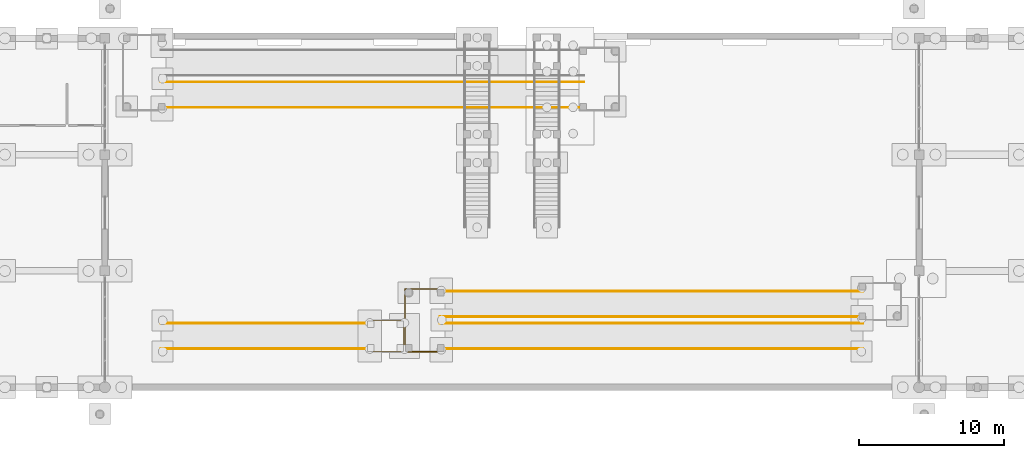
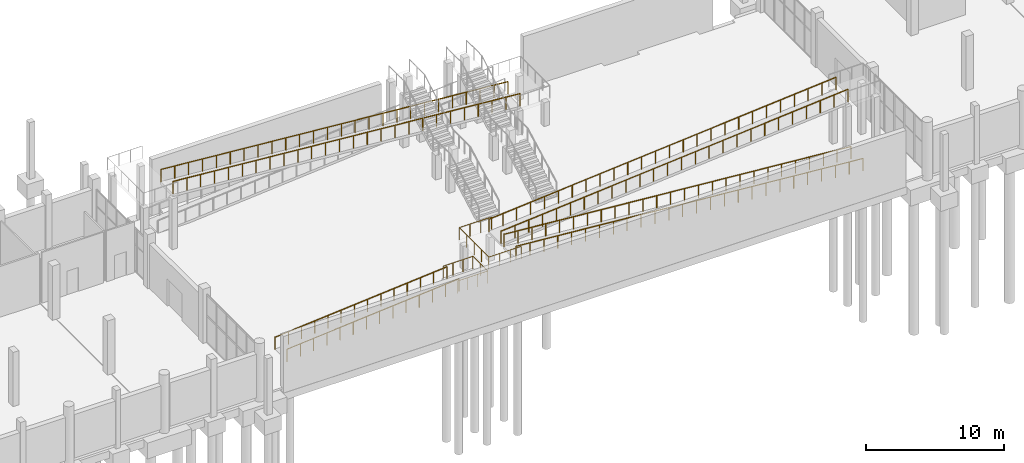
# One storey, part 41 of 52: 10 railings.
"""IFC4 building model written with IfcOpenShell, lengths in metres."""

import ifcopenshell
import ifcopenshell.guid

model = None  # the IFC model being written
_history = None  # IfcOwnerHistory: only IFC2X3 demands one
_inside = {}  # id of a spatial element -> (the spatial element, [elements in it])
_under = {}  # id of a project, library or spatial element -> (it, [spatial elements below it])
_declared = {}  # id of a project -> (the project, [libraries it declares])
_typed = {}  # id of a type object -> (the type object, [elements of that type])
_made_of = {}  # id of a material, layer set ... -> (it, [elements and type objects made of it])


def new_model(schema):
    """Start an empty IFC model of exactly this schema.

    Asked for "IFC4X3", IfcOpenShell would pick the latest addendum, in which some entities
    have other attributes; the version numbers below select the first issue.
    IFC2X3 requires an IfcOwnerHistory on every rooted entity: one is made here for all.
    """
    global model, _history
    if schema == "IFC4X3":
        model = ifcopenshell.file(schema_version=(4, 3, 0, 0))
    else:
        model = ifcopenshell.file(schema=schema)
    _inside.clear()
    _under.clear()
    _declared.clear()
    _typed.clear()
    _made_of.clear()
    _history = None
    if model.schema == "IFC2X3":
        org = make("IfcOrganization", Name="unknown")
        user = make(
            "IfcPersonAndOrganization",
            ThePerson=make("IfcPerson", FamilyName="unknown"),
            TheOrganization=org,
        )
        app = make(
            "IfcApplication",
            ApplicationDeveloper=org,
            Version="unknown",
            ApplicationFullName="unknown",
            ApplicationIdentifier="unknown",
        )
        _history = make(
            "IfcOwnerHistory",
            OwningUser=user,
            OwningApplication=app,
            ChangeAction="ADDED",
            CreationDate=0,
        )
    return model


def make(cls, **values):
    """One entity of the class cls with the attributes given. An attribute that is None is left unset."""
    return model.create_entity(
        cls, **{name: value for name, value in values.items() if value is not None}
    )


def rooted(cls, **values):
    """An entity with a GlobalId (a new one), such as an element, a storey or a relation."""
    return make(cls, GlobalId=ifcopenshell.guid.new(), OwnerHistory=_history, **values)


def si_unit(unit_type, name, prefix=None):
    """IfcSIUnit, for example si_unit("LENGTHUNIT", "METRE", prefix="MILLI")."""
    return make("IfcSIUnit", UnitType=unit_type, Prefix=prefix, Name=name)


def assignment(units):
    """IfcUnitAssignment: the units of a project."""
    return None if units is None else make("IfcUnitAssignment", Units=units)


def point(xyz):
    """IfcCartesianPoint."""
    return None if xyz is None else make("IfcCartesianPoint", Coordinates=xyz)


def direction(xyz):
    """IfcDirection."""
    return None if xyz is None else make("IfcDirection", DirectionRatios=xyz)


def frame(location, z_axis=None, x_axis=None):
    """IfcAxis2Placement3D, a coordinate frame: its origin and axes. An axis left out is left unset."""
    return make(
        "IfcAxis2Placement3D",
        Location=point(location),
        Axis=direction(z_axis),
        RefDirection=direction(x_axis),
    )


def frame_2d(location, x_axis=None):
    """IfcAxis2Placement2D, a coordinate frame in the plane: its origin and x axis."""
    return make(
        "IfcAxis2Placement2D", Location=point(location), RefDirection=direction(x_axis)
    )


def origin():
    """The frame at (0, 0, 0) with its axes left unset."""
    return frame((0.0, 0.0, 0.0))


def origin_2d():
    """The frame at (0, 0) in the plane with its x axis left unset."""
    return frame_2d((0.0, 0.0))


def place(relative_to, where):
    """IfcLocalPlacement: puts the frame where relative to a parent placement (None: the world)."""
    return make(
        "IfcLocalPlacement", PlacementRelTo=relative_to, RelativePlacement=where
    )


def context(
    kind, dimensions, precision=None, world=None, true_north=None, identifier=None
):
    """IfcGeometricRepresentationContext, for example the 3D "Model" context."""
    return make(
        "IfcGeometricRepresentationContext",
        ContextIdentifier=identifier,
        ContextType=kind,
        CoordinateSpaceDimension=dimensions,
        Precision=precision,
        WorldCoordinateSystem=world,
        TrueNorth=true_north,
    )


def subcontext(parent, identifier, kind, view, scale=None):
    """IfcGeometricRepresentationSubContext, for example "Body" below "Model"."""
    return make(
        "IfcGeometricRepresentationSubContext",
        ContextIdentifier=identifier,
        ContextType=kind,
        ParentContext=parent,
        TargetScale=scale,
        TargetView=view,
    )


def project(units=None, contexts=None):
    """IfcProject with its units and contexts."""
    return rooted(
        "IfcProject",
        Name="project",
        RepresentationContexts=contexts,
        UnitsInContext=assignment(units),
    )


def spatial(cls, under=None, at=None, **own):
    """A site, building, storey or space (cls), placed at a placement, below another one or the project."""
    s = rooted(cls, ObjectPlacement=at, **own)
    if under is not None:
        _under.setdefault(under.id(), (under, []))[1].append(s)
    return s


def profile(cls, at=None, kind="AREA", **sizes):
    """A parametric profile (cls). Its sizes go by their IFC names, for example OverallWidth=200.0."""
    return make(cls, ProfileType=kind, Position=at, **sizes)


def circle(**sizes):
    """IfcCircleProfileDef."""
    return profile("IfcCircleProfileDef", **sizes)


def extrude(swept, where, along, depth):
    """IfcExtrudedAreaSolid: the profile swept, set in the frame where, extruded along a direction by depth."""
    return make(
        "IfcExtrudedAreaSolid",
        SweptArea=swept,
        Position=where,
        ExtrudedDirection=direction(along),
        Depth=depth,
    )


def shape(context_of_items, identifier, shape_type, items):
    """IfcShapeRepresentation: the items that make up one representation, for example the "Body"."""
    return make(
        "IfcShapeRepresentation",
        ContextOfItems=context_of_items,
        RepresentationIdentifier=identifier,
        RepresentationType=shape_type,
        Items=items,
    )


def material(Name=None, Category=None):
    """IfcMaterial."""
    return make("IfcMaterial", Name=Name, Category=Category)


def made_of(thing, what):
    """Note that an element or type object is made of a material, layer set ...; save() writes the relation."""
    if what is not None:
        _made_of.setdefault(what.id(), (what, []))[1].append(thing)
    return thing


def type_object(cls, material=None, **own):
    """A type object (cls), such as IfcWallType, which elements share."""
    return made_of(rooted(cls, **own), material)


def element(
    cls,
    number,
    at=None,
    inside=None,
    cuts=None,
    type_object=None,
    material=None,
    context=None,
    identifier="Body",
    shape_type=None,
    held_by="IfcProductDefinitionShape",
    body=None,
    shapes=None,
    **own,
):
    """One element of the class cls, such as IfcWall. Its Tag is "e" and its number.

    at: its placement. inside: the storey or other place that contains it. cuts: it is an
    opening in that element (IfcRelVoidsElement). A single representation is given by context,
    identifier, shape_type and body (its items); several are given by shapes. held_by: the class
    of the entity that holds the representations. save() writes the other relations.
    """
    e = rooted(cls, Tag="e%d" % number, ObjectPlacement=at, **own)
    if body is not None:
        shapes = [shape(context, identifier, shape_type, body)]
    if shapes is not None:
        e.Representation = make(held_by, Representations=shapes)
    if inside is not None:
        _inside.setdefault(inside.id(), (inside, []))[1].append(e)
    if cuts is not None:
        rooted(
            "IfcRelVoidsElement", RelatingBuildingElement=cuts, RelatedOpeningElement=e
        )
    if type_object is not None:
        _typed.setdefault(type_object.id(), (type_object, []))[1].append(e)
    return made_of(e, material)


def aggregate(whole, parts):
    """IfcRelAggregates: a whole, such as a stair, and the parts it consists of."""
    return rooted("IfcRelAggregates", RelatingObject=whole, RelatedObjects=parts)


def save(model, path):
    """Write the relations noted so far, then the file.

    IfcRelAggregates (storeys below a building ...), IfcRelContainedInSpatialStructure (elements
    in a storey), IfcRelDefinesByType, IfcRelAssociatesMaterial and IfcRelDeclares: one each for
    every whole, place, type object, material and project.
    """
    for whole, parts in _under.values():
        aggregate(whole, parts)
    for where, things in _inside.values():
        rooted(
            "IfcRelContainedInSpatialStructure",
            RelatedElements=things,
            RelatingStructure=where,
        )
    for kind, things in _typed.values():
        rooted("IfcRelDefinesByType", RelatedObjects=things, RelatingType=kind)
    for what, things in _made_of.values():
        rooted("IfcRelAssociatesMaterial", RelatedObjects=things, RelatingMaterial=what)
    for by, libraries in _declared.values():
        rooted("IfcRelDeclares", RelatingContext=by, RelatedDefinitions=libraries)
    model.write(path)


model = new_model("IFC4")

# Units and contexts
model_context = context("Model", 3, precision=1e-05, world=origin(), true_north=direction((0.0, 1.0)))
body_context = subcontext(model_context, "Body", "Model", "MODEL_VIEW")
ifc_project = project(units=[si_unit("LENGTHUNIT", "METRE"), si_unit("AREAUNIT", "SQUARE_METRE"), si_unit("VOLUMEUNIT", "CUBIC_METRE"), si_unit("PLANEANGLEUNIT", "RADIAN"), si_unit("MASSUNIT", "GRAM", prefix="KILO")], contexts=[model_context])

# Site, building, storey
site_placement = place(None, origin())
site = spatial("IfcSite", under=ifc_project, at=site_placement, CompositionType="ELEMENT")
building_placement = place(site_placement, origin())
building = spatial("IfcBuilding", under=site, at=building_placement, Name="Luwemba Playhouse", CompositionType="ELEMENT")
storey_placement = place(building_placement, frame((0.0, 0.0, -4.800048828125)))
storey = spatial("IfcBuildingStorey", under=building, at=storey_placement, Name="B1", CompositionType="ELEMENT", Elevation=-4.800048828125)

# Railings
ifc_material = material(Name="Painted wrought-iron balustrade", Category="steel")
railing_type = type_object("IfcRailingType", Name="RLG-RMP-BAL", PredefinedType="BALUSTRADE", material=ifc_material)
railing_1_placement = place(storey_placement, frame((92.949951171875, 22.25, 2.400146484375)))
element("IfcRailing", 1, at=railing_1_placement, inside=storey, type_object=railing_type, Name="RMP-ACC-FC2 side guard 1", PredefinedType="BALUSTRADE", context=body_context, shape_type="SweptSolid", body=[
    extrude(circle(Radius=0.02392578125, at=origin_2d()), frame((0.0, 0.0, 1.09619140625), z_axis=(-0.996616493461, 0.0, 0.08219224393), x_axis=(0.0, -1.0, 0.0)), (0.0, 0.0, 1.0), 29.19873046875),
    extrude(circle(Radius=0.02099609375, at=origin_2d()), origin(), (0.0, 0.0, 1.0), 1.072021484375),
    extrude(circle(Radius=0.02099609375, at=origin_2d()), frame((-1.1640625, 0.0, 0.095947265625)), (0.0, 0.0, 1.0), 1.072021484375),
    extrude(circle(Radius=0.02099609375, at=origin_2d()), frame((-2.327880859375, 0.0, 0.19189453125)), (0.0, 0.0, 1.0), 1.072021484375),
    extrude(circle(Radius=0.02099609375, at=origin_2d()), frame((-3.491943359375, 0.0, 0.2880859375)), (0.0, 0.0, 1.0), 1.072021484375),
    extrude(circle(Radius=0.02099609375, at=origin_2d()), frame((-4.656005859375, 0.0, 0.384033203125)), (0.0, 0.0, 1.0), 1.072021484375),
    extrude(circle(Radius=0.02099609375, at=origin_2d()), frame((-5.820068359375, 0.0, 0.47998046875)), (0.0, 0.0, 1.0), 1.072021484375),
    extrude(circle(Radius=0.02099609375, at=origin_2d()), frame((-6.98388671875, 0.0, 0.575927734375)), (0.0, 0.0, 1.0), 1.072021484375),
    extrude(circle(Radius=0.02099609375, at=origin_2d()), frame((-8.14794921875, 0.0, 0.671875)), (0.0, 0.0, 1.0), 1.072021484375),
    extrude(circle(Radius=0.02099609375, at=origin_2d()), frame((-9.31201171875, 0.0, 0.76806640625)), (0.0, 0.0, 1.0), 1.072021484375),
    extrude(circle(Radius=0.02099609375, at=origin_2d()), frame((-10.475830078125, 0.0, 0.864013671875)), (0.0, 0.0, 1.0), 1.072021484375),
    extrude(circle(Radius=0.02099609375, at=origin_2d()), frame((-11.639892578125, 0.0, 0.9599609375)), (0.0, 0.0, 1.0), 1.072021484375),
    extrude(circle(Radius=0.02099609375, at=origin_2d()), frame((-12.803955078125, 0.0, 1.055908203125)), (0.0, 0.0, 1.0), 1.072021484375),
    extrude(circle(Radius=0.02099609375, at=origin_2d()), frame((-13.968017578125, 0.0, 1.15185546875)), (0.0, 0.0, 1.0), 1.072021484375),
    extrude(circle(Radius=0.02099609375, at=origin_2d()), frame((-15.1318359375, 0.0, 1.248046875)), (0.0, 0.0, 1.0), 1.072021484375),
    extrude(circle(Radius=0.02099609375, at=origin_2d()), frame((-16.2958984375, 0.0, 1.343994140625)), (0.0, 0.0, 1.0), 1.072021484375),
    extrude(circle(Radius=0.02099609375, at=origin_2d()), frame((-17.4599609375, 0.0, 1.43994140625)), (0.0, 0.0, 1.0), 1.072021484375),
    extrude(circle(Radius=0.02099609375, at=origin_2d()), frame((-18.6240234375, 0.0, 1.535888671875)), (0.0, 0.0, 1.0), 1.072021484375),
    extrude(circle(Radius=0.02099609375, at=origin_2d()), frame((-19.787841796875, 0.0, 1.6318359375)), (0.0, 0.0, 1.0), 1.072021484375),
    extrude(circle(Radius=0.02099609375, at=origin_2d()), frame((-20.951904296875, 0.0, 1.72802734375)), (0.0, 0.0, 1.0), 1.072021484375),
    extrude(circle(Radius=0.02099609375, at=origin_2d()), frame((-22.115966796875, 0.0, 1.823974609375)), (0.0, 0.0, 1.0), 1.072021484375),
    extrude(circle(Radius=0.02099609375, at=origin_2d()), frame((-23.27978515625, 0.0, 1.919921875)), (0.0, 0.0, 1.0), 1.072021484375),
    extrude(circle(Radius=0.02099609375, at=origin_2d()), frame((-24.44384765625, 0.0, 2.015869140625)), (0.0, 0.0, 1.0), 1.072021484375),
    extrude(circle(Radius=0.02099609375, at=origin_2d()), frame((-25.60791015625, 0.0, 2.11181640625)), (0.0, 0.0, 1.0), 1.072021484375),
    extrude(circle(Radius=0.02099609375, at=origin_2d()), frame((-26.77197265625, 0.0, 2.2080078125)), (0.0, 0.0, 1.0), 1.072021484375),
    extrude(circle(Radius=0.02099609375, at=origin_2d()), frame((-27.935791015625, 0.0, 2.303955078125)), (0.0, 0.0, 1.0), 1.072021484375),
    extrude(circle(Radius=0.02099609375, at=origin_2d()), frame((-29.099853515625, 0.0, 2.39990234375)), (0.0, 0.0, 1.0), 1.072021484375),
])
railing_2_placement = place(storey_placement, frame((92.949951171875, 24.0, 2.400146484375)))
element("IfcRailing", 2, at=railing_2_placement, inside=storey, type_object=railing_type, Name="RMP-ACC-FC2 side guard 2", PredefinedType="BALUSTRADE", context=body_context, shape_type="SweptSolid", body=[
    extrude(circle(Radius=0.02392578125, at=origin_2d()), frame((0.0, 0.0, 1.09619140625), z_axis=(-0.996616493461, 0.0, 0.08219224393), x_axis=(0.0, -1.0, 0.0)), (0.0, 0.0, 1.0), 29.19873046875),
    extrude(circle(Radius=0.02099609375, at=origin_2d()), origin(), (0.0, 0.0, 1.0), 1.072021484375),
    extrude(circle(Radius=0.02099609375, at=origin_2d()), frame((-1.1640625, 0.0, 0.095947265625)), (0.0, 0.0, 1.0), 1.072021484375),
    extrude(circle(Radius=0.02099609375, at=origin_2d()), frame((-2.327880859375, 0.0, 0.19189453125)), (0.0, 0.0, 1.0), 1.072021484375),
    extrude(circle(Radius=0.02099609375, at=origin_2d()), frame((-3.491943359375, 0.0, 0.2880859375)), (0.0, 0.0, 1.0), 1.072021484375),
    extrude(circle(Radius=0.02099609375, at=origin_2d()), frame((-4.656005859375, 0.0, 0.384033203125)), (0.0, 0.0, 1.0), 1.072021484375),
    extrude(circle(Radius=0.02099609375, at=origin_2d()), frame((-5.820068359375, 0.0, 0.47998046875)), (0.0, 0.0, 1.0), 1.072021484375),
    extrude(circle(Radius=0.02099609375, at=origin_2d()), frame((-6.98388671875, 0.0, 0.575927734375)), (0.0, 0.0, 1.0), 1.072021484375),
    extrude(circle(Radius=0.02099609375, at=origin_2d()), frame((-8.14794921875, 0.0, 0.671875)), (0.0, 0.0, 1.0), 1.072021484375),
    extrude(circle(Radius=0.02099609375, at=origin_2d()), frame((-9.31201171875, 0.0, 0.76806640625)), (0.0, 0.0, 1.0), 1.072021484375),
    extrude(circle(Radius=0.02099609375, at=origin_2d()), frame((-10.475830078125, 0.0, 0.864013671875)), (0.0, 0.0, 1.0), 1.072021484375),
    extrude(circle(Radius=0.02099609375, at=origin_2d()), frame((-11.639892578125, 0.0, 0.9599609375)), (0.0, 0.0, 1.0), 1.072021484375),
    extrude(circle(Radius=0.02099609375, at=origin_2d()), frame((-12.803955078125, 0.0, 1.055908203125)), (0.0, 0.0, 1.0), 1.072021484375),
    extrude(circle(Radius=0.02099609375, at=origin_2d()), frame((-13.968017578125, 0.0, 1.15185546875)), (0.0, 0.0, 1.0), 1.072021484375),
    extrude(circle(Radius=0.02099609375, at=origin_2d()), frame((-15.1318359375, 0.0, 1.248046875)), (0.0, 0.0, 1.0), 1.072021484375),
    extrude(circle(Radius=0.02099609375, at=origin_2d()), frame((-16.2958984375, 0.0, 1.343994140625)), (0.0, 0.0, 1.0), 1.072021484375),
    extrude(circle(Radius=0.02099609375, at=origin_2d()), frame((-17.4599609375, 0.0, 1.43994140625)), (0.0, 0.0, 1.0), 1.072021484375),
    extrude(circle(Radius=0.02099609375, at=origin_2d()), frame((-18.6240234375, 0.0, 1.535888671875)), (0.0, 0.0, 1.0), 1.072021484375),
    extrude(circle(Radius=0.02099609375, at=origin_2d()), frame((-19.787841796875, 0.0, 1.6318359375)), (0.0, 0.0, 1.0), 1.072021484375),
    extrude(circle(Radius=0.02099609375, at=origin_2d()), frame((-20.951904296875, 0.0, 1.72802734375)), (0.0, 0.0, 1.0), 1.072021484375),
    extrude(circle(Radius=0.02099609375, at=origin_2d()), frame((-22.115966796875, 0.0, 1.823974609375)), (0.0, 0.0, 1.0), 1.072021484375),
    extrude(circle(Radius=0.02099609375, at=origin_2d()), frame((-23.27978515625, 0.0, 1.919921875)), (0.0, 0.0, 1.0), 1.072021484375),
    extrude(circle(Radius=0.02099609375, at=origin_2d()), frame((-24.44384765625, 0.0, 2.015869140625)), (0.0, 0.0, 1.0), 1.072021484375),
    extrude(circle(Radius=0.02099609375, at=origin_2d()), frame((-25.60791015625, 0.0, 2.11181640625)), (0.0, 0.0, 1.0), 1.072021484375),
    extrude(circle(Radius=0.02099609375, at=origin_2d()), frame((-26.77197265625, 0.0, 2.2080078125)), (0.0, 0.0, 1.0), 1.072021484375),
    extrude(circle(Radius=0.02099609375, at=origin_2d()), frame((-27.935791015625, 0.0, 2.303955078125)), (0.0, 0.0, 1.0), 1.072021484375),
    extrude(circle(Radius=0.02099609375, at=origin_2d()), frame((-29.099853515625, 0.0, 2.39990234375)), (0.0, 0.0, 1.0), 1.072021484375),
])
railing_3_placement = place(storey_placement, frame((112.14990234375, 5.64990234375, 0.0)))
element("IfcRailing", 3, at=railing_3_placement, inside=storey, type_object=railing_type, Name="RMP-ACC-FC3 side guard 1", PredefinedType="BALUSTRADE", context=body_context, shape_type="SweptSolid", body=[
    extrude(circle(Radius=0.02392578125, at=origin_2d()), frame((0.0, 0.0, 1.09619140625), z_axis=(-0.996615808512, 0.0, 0.082200548803), x_axis=(0.0, -1.0, 0.0)), (0.0, 0.0, 1.0), 29.19873046875),
    extrude(circle(Radius=0.02099609375, at=origin_2d()), origin(), (0.0, 0.0, 1.0), 1.072021484375),
    extrude(circle(Radius=0.02099609375, at=origin_2d()), frame((-1.1640625, 0.0, 0.095947265625)), (0.0, 0.0, 1.0), 1.072021484375),
    extrude(circle(Radius=0.02099609375, at=origin_2d()), frame((-2.327880859375, 0.0, 0.19189453125)), (0.0, 0.0, 1.0), 1.072021484375),
    extrude(circle(Radius=0.02099609375, at=origin_2d()), frame((-3.491943359375, 0.0, 0.2880859375)), (0.0, 0.0, 1.0), 1.072021484375),
    extrude(circle(Radius=0.02099609375, at=origin_2d()), frame((-4.656005859375, 0.0, 0.384033203125)), (0.0, 0.0, 1.0), 1.072021484375),
    extrude(circle(Radius=0.02099609375, at=origin_2d()), frame((-5.820068359375, 0.0, 0.47998046875)), (0.0, 0.0, 1.0), 1.072021484375),
    extrude(circle(Radius=0.02099609375, at=origin_2d()), frame((-6.98388671875, 0.0, 0.575927734375)), (0.0, 0.0, 1.0), 1.072021484375),
    extrude(circle(Radius=0.02099609375, at=origin_2d()), frame((-8.14794921875, 0.0, 0.672119140625)), (0.0, 0.0, 1.0), 1.072021484375),
    extrude(circle(Radius=0.02099609375, at=origin_2d()), frame((-9.31201171875, 0.0, 0.76806640625)), (0.0, 0.0, 1.0), 1.072021484375),
    extrude(circle(Radius=0.02099609375, at=origin_2d()), frame((-10.475830078125, 0.0, 0.864013671875)), (0.0, 0.0, 1.0), 1.072021484375),
    extrude(circle(Radius=0.02099609375, at=origin_2d()), frame((-11.639892578125, 0.0, 0.9599609375)), (0.0, 0.0, 1.0), 1.072021484375),
    extrude(circle(Radius=0.02099609375, at=origin_2d()), frame((-12.803955078125, 0.0, 1.05615234375)), (0.0, 0.0, 1.0), 1.072021484375),
    extrude(circle(Radius=0.02099609375, at=origin_2d()), frame((-13.968017578125, 0.0, 1.152099609375)), (0.0, 0.0, 1.0), 1.072021484375),
    extrude(circle(Radius=0.02099609375, at=origin_2d()), frame((-15.1318359375, 0.0, 1.248046875)), (0.0, 0.0, 1.0), 1.072021484375),
    extrude(circle(Radius=0.02099609375, at=origin_2d()), frame((-16.2958984375, 0.0, 1.343994140625)), (0.0, 0.0, 1.0), 1.072021484375),
    extrude(circle(Radius=0.02099609375, at=origin_2d()), frame((-17.4599609375, 0.0, 1.440185546875)), (0.0, 0.0, 1.0), 1.072021484375),
    extrude(circle(Radius=0.02099609375, at=origin_2d()), frame((-18.6240234375, 0.0, 1.5361328125)), (0.0, 0.0, 1.0), 1.072021484375),
    extrude(circle(Radius=0.02099609375, at=origin_2d()), frame((-19.787841796875, 0.0, 1.632080078125)), (0.0, 0.0, 1.0), 1.072021484375),
    extrude(circle(Radius=0.02099609375, at=origin_2d()), frame((-20.951904296875, 0.0, 1.72802734375)), (0.0, 0.0, 1.0), 1.072021484375),
    extrude(circle(Radius=0.02099609375, at=origin_2d()), frame((-22.115966796875, 0.0, 1.82421875)), (0.0, 0.0, 1.0), 1.072021484375),
    extrude(circle(Radius=0.02099609375, at=origin_2d()), frame((-23.27978515625, 0.0, 1.920166015625)), (0.0, 0.0, 1.0), 1.072021484375),
    extrude(circle(Radius=0.02099609375, at=origin_2d()), frame((-24.44384765625, 0.0, 2.01611328125)), (0.0, 0.0, 1.0), 1.072021484375),
    extrude(circle(Radius=0.02099609375, at=origin_2d()), frame((-25.60791015625, 0.0, 2.112060546875)), (0.0, 0.0, 1.0), 1.072021484375),
    extrude(circle(Radius=0.02099609375, at=origin_2d()), frame((-26.77197265625, 0.0, 2.208251953125)), (0.0, 0.0, 1.0), 1.072021484375),
    extrude(circle(Radius=0.02099609375, at=origin_2d()), frame((-27.935791015625, 0.0, 2.30419921875)), (0.0, 0.0, 1.0), 1.072021484375),
    extrude(circle(Radius=0.02099609375, at=origin_2d()), frame((-29.099853515625, 0.0, 2.400146484375)), (0.0, 0.0, 1.0), 1.072021484375),
])
railing_4_placement = place(storey_placement, frame((112.14990234375, 7.39990234375, 0.0)))
element("IfcRailing", 4, at=railing_4_placement, inside=storey, type_object=railing_type, Name="RMP-ACC-FC3 side guard 2", PredefinedType="BALUSTRADE", context=body_context, shape_type="SweptSolid", body=[
    extrude(circle(Radius=0.02392578125, at=origin_2d()), frame((0.0, 0.0, 1.09619140625), z_axis=(-0.996615808512, 0.0, 0.082200548803), x_axis=(0.0, -1.0, 0.0)), (0.0, 0.0, 1.0), 29.19873046875),
    extrude(circle(Radius=0.02099609375, at=origin_2d()), origin(), (0.0, 0.0, 1.0), 1.072021484375),
    extrude(circle(Radius=0.02099609375, at=origin_2d()), frame((-1.1640625, 0.0, 0.095947265625)), (0.0, 0.0, 1.0), 1.072021484375),
    extrude(circle(Radius=0.02099609375, at=origin_2d()), frame((-2.327880859375, 0.0, 0.19189453125)), (0.0, 0.0, 1.0), 1.072021484375),
    extrude(circle(Radius=0.02099609375, at=origin_2d()), frame((-3.491943359375, 0.0, 0.2880859375)), (0.0, 0.0, 1.0), 1.072021484375),
    extrude(circle(Radius=0.02099609375, at=origin_2d()), frame((-4.656005859375, 0.0, 0.384033203125)), (0.0, 0.0, 1.0), 1.072021484375),
    extrude(circle(Radius=0.02099609375, at=origin_2d()), frame((-5.820068359375, 0.0, 0.47998046875)), (0.0, 0.0, 1.0), 1.072021484375),
    extrude(circle(Radius=0.02099609375, at=origin_2d()), frame((-6.98388671875, 0.0, 0.575927734375)), (0.0, 0.0, 1.0), 1.072021484375),
    extrude(circle(Radius=0.02099609375, at=origin_2d()), frame((-8.14794921875, 0.0, 0.672119140625)), (0.0, 0.0, 1.0), 1.072021484375),
    extrude(circle(Radius=0.02099609375, at=origin_2d()), frame((-9.31201171875, 0.0, 0.76806640625)), (0.0, 0.0, 1.0), 1.072021484375),
    extrude(circle(Radius=0.02099609375, at=origin_2d()), frame((-10.475830078125, 0.0, 0.864013671875)), (0.0, 0.0, 1.0), 1.072021484375),
    extrude(circle(Radius=0.02099609375, at=origin_2d()), frame((-11.639892578125, 0.0, 0.9599609375)), (0.0, 0.0, 1.0), 1.072021484375),
    extrude(circle(Radius=0.02099609375, at=origin_2d()), frame((-12.803955078125, 0.0, 1.05615234375)), (0.0, 0.0, 1.0), 1.072021484375),
    extrude(circle(Radius=0.02099609375, at=origin_2d()), frame((-13.968017578125, 0.0, 1.152099609375)), (0.0, 0.0, 1.0), 1.072021484375),
    extrude(circle(Radius=0.02099609375, at=origin_2d()), frame((-15.1318359375, 0.0, 1.248046875)), (0.0, 0.0, 1.0), 1.072021484375),
    extrude(circle(Radius=0.02099609375, at=origin_2d()), frame((-16.2958984375, 0.0, 1.343994140625)), (0.0, 0.0, 1.0), 1.072021484375),
    extrude(circle(Radius=0.02099609375, at=origin_2d()), frame((-17.4599609375, 0.0, 1.440185546875)), (0.0, 0.0, 1.0), 1.072021484375),
    extrude(circle(Radius=0.02099609375, at=origin_2d()), frame((-18.6240234375, 0.0, 1.5361328125)), (0.0, 0.0, 1.0), 1.072021484375),
    extrude(circle(Radius=0.02099609375, at=origin_2d()), frame((-19.787841796875, 0.0, 1.632080078125)), (0.0, 0.0, 1.0), 1.072021484375),
    extrude(circle(Radius=0.02099609375, at=origin_2d()), frame((-20.951904296875, 0.0, 1.72802734375)), (0.0, 0.0, 1.0), 1.072021484375),
    extrude(circle(Radius=0.02099609375, at=origin_2d()), frame((-22.115966796875, 0.0, 1.82421875)), (0.0, 0.0, 1.0), 1.072021484375),
    extrude(circle(Radius=0.02099609375, at=origin_2d()), frame((-23.27978515625, 0.0, 1.920166015625)), (0.0, 0.0, 1.0), 1.072021484375),
    extrude(circle(Radius=0.02099609375, at=origin_2d()), frame((-24.44384765625, 0.0, 2.01611328125)), (0.0, 0.0, 1.0), 1.072021484375),
    extrude(circle(Radius=0.02099609375, at=origin_2d()), frame((-25.60791015625, 0.0, 2.112060546875)), (0.0, 0.0, 1.0), 1.072021484375),
    extrude(circle(Radius=0.02099609375, at=origin_2d()), frame((-26.77197265625, 0.0, 2.208251953125)), (0.0, 0.0, 1.0), 1.072021484375),
    extrude(circle(Radius=0.02099609375, at=origin_2d()), frame((-27.935791015625, 0.0, 2.30419921875)), (0.0, 0.0, 1.0), 1.072021484375),
    extrude(circle(Radius=0.02099609375, at=origin_2d()), frame((-29.099853515625, 0.0, 2.400146484375)), (0.0, 0.0, 1.0), 1.072021484375),
])
railing_5_placement = place(storey_placement, frame((83.35009765625, 9.75, 2.400146484375)))
element("IfcRailing", 5, at=railing_5_placement, inside=storey, type_object=railing_type, Name="RMP-ACC-FC3 landing perimeter guard", PredefinedType="BALUSTRADE", context=body_context, shape_type="SweptSolid", body=[
    extrude(circle(Radius=0.02392578125, at=origin_2d()), frame((0.0, 0.0, 1.09619140625), z_axis=(-1.0, 0.0, 0.0), x_axis=(0.0, -1.0, 0.0)), (0.0, 0.0, 1.0), 2.7001953125),
    extrude(circle(Radius=0.02392578125, at=origin_2d()), frame((-2.7001953125, 0.0, 1.09619140625), z_axis=(0.0, -1.0, 0.0), x_axis=(1.0, 0.0, 0.0)), (0.0, 0.0, 1.0), 4.300048828125),
    extrude(circle(Radius=0.02392578125, at=origin_2d()), frame((-2.7001953125, -4.300048828125, 1.09619140625), z_axis=(1.0, 0.0, 0.0), x_axis=(0.0, 1.0, 0.0)), (0.0, 0.0, 1.0), 2.7001953125),
    extrude(circle(Radius=0.02099609375, at=origin_2d()), origin(), (0.0, 0.0, 1.0), 1.072021484375),
    extrude(circle(Radius=0.02099609375, at=origin_2d()), frame((-0.900146484375, 0.0, 0.0)), (0.0, 0.0, 1.0), 1.072021484375),
    extrude(circle(Radius=0.02099609375, at=origin_2d()), frame((-1.800048828125, 0.0, 0.0)), (0.0, 0.0, 1.0), 1.072021484375),
    extrude(circle(Radius=0.02099609375, at=origin_2d()), frame((-2.7001953125, 0.0, 0.0)), (0.0, 0.0, 1.0), 1.072021484375),
    extrude(circle(Radius=0.02099609375, at=origin_2d()), frame((-2.7001953125, -1.074951171875, 0.0)), (0.0, 0.0, 1.0), 1.072021484375),
    extrude(circle(Radius=0.02099609375, at=origin_2d()), frame((-2.7001953125, -2.14990234375, 0.0)), (0.0, 0.0, 1.0), 1.072021484375),
    extrude(circle(Radius=0.02099609375, at=origin_2d()), frame((-2.7001953125, -3.22509765625, 0.0)), (0.0, 0.0, 1.0), 1.072021484375),
    extrude(circle(Radius=0.02099609375, at=origin_2d()), frame((-2.7001953125, -4.300048828125, 0.0)), (0.0, 0.0, 1.0), 1.072021484375),
    extrude(circle(Radius=0.02099609375, at=origin_2d()), frame((-1.800048828125, -4.300048828125, 0.0)), (0.0, 0.0, 1.0), 1.072021484375),
    extrude(circle(Radius=0.02099609375, at=origin_2d()), frame((-0.900146484375, -4.300048828125, 0.0)), (0.0, 0.0, 1.0), 1.072021484375),
    extrude(circle(Radius=0.02099609375, at=origin_2d()), frame((0.0, -4.300048828125, 0.0)), (0.0, 0.0, 1.0), 1.072021484375),
])
railing_6_placement = place(storey_placement, frame((83.050048828125, 7.85009765625, 2.400146484375)))
element("IfcRailing", 6, at=railing_6_placement, inside=storey, type_object=railing_type, Name="RMP-ACC-FC4 side guard 1", PredefinedType="BALUSTRADE", context=body_context, shape_type="SweptSolid", body=[
    extrude(circle(Radius=0.02392578125, at=origin_2d()), frame((0.0, 0.0, 1.09619140625), z_axis=(0.996616493461, 0.0, 0.08219224393), x_axis=(0.0, 1.0, 0.0)), (0.0, 0.0, 1.0), 29.19873046875),
    extrude(circle(Radius=0.02099609375, at=origin_2d()), origin(), (0.0, 0.0, 1.0), 1.072021484375),
    extrude(circle(Radius=0.02099609375, at=origin_2d()), frame((1.1640625, 0.0, 0.095947265625)), (0.0, 0.0, 1.0), 1.072021484375),
    extrude(circle(Radius=0.02099609375, at=origin_2d()), frame((2.327880859375, 0.0, 0.19189453125)), (0.0, 0.0, 1.0), 1.072021484375),
    extrude(circle(Radius=0.02099609375, at=origin_2d()), frame((3.491943359375, 0.0, 0.2880859375)), (0.0, 0.0, 1.0), 1.072021484375),
    extrude(circle(Radius=0.02099609375, at=origin_2d()), frame((4.656005859375, 0.0, 0.384033203125)), (0.0, 0.0, 1.0), 1.072021484375),
    extrude(circle(Radius=0.02099609375, at=origin_2d()), frame((5.820068359375, 0.0, 0.47998046875)), (0.0, 0.0, 1.0), 1.072021484375),
    extrude(circle(Radius=0.02099609375, at=origin_2d()), frame((6.98388671875, 0.0, 0.575927734375)), (0.0, 0.0, 1.0), 1.072021484375),
    extrude(circle(Radius=0.02099609375, at=origin_2d()), frame((8.14794921875, 0.0, 0.671875)), (0.0, 0.0, 1.0), 1.072021484375),
    extrude(circle(Radius=0.02099609375, at=origin_2d()), frame((9.31201171875, 0.0, 0.76806640625)), (0.0, 0.0, 1.0), 1.072021484375),
    extrude(circle(Radius=0.02099609375, at=origin_2d()), frame((10.475830078125, 0.0, 0.864013671875)), (0.0, 0.0, 1.0), 1.072021484375),
    extrude(circle(Radius=0.02099609375, at=origin_2d()), frame((11.639892578125, 0.0, 0.9599609375)), (0.0, 0.0, 1.0), 1.072021484375),
    extrude(circle(Radius=0.02099609375, at=origin_2d()), frame((12.803955078125, 0.0, 1.055908203125)), (0.0, 0.0, 1.0), 1.072021484375),
    extrude(circle(Radius=0.02099609375, at=origin_2d()), frame((13.968017578125, 0.0, 1.15185546875)), (0.0, 0.0, 1.0), 1.072021484375),
    extrude(circle(Radius=0.02099609375, at=origin_2d()), frame((15.1318359375, 0.0, 1.248046875)), (0.0, 0.0, 1.0), 1.072021484375),
    extrude(circle(Radius=0.02099609375, at=origin_2d()), frame((16.2958984375, 0.0, 1.343994140625)), (0.0, 0.0, 1.0), 1.072021484375),
    extrude(circle(Radius=0.02099609375, at=origin_2d()), frame((17.4599609375, 0.0, 1.43994140625)), (0.0, 0.0, 1.0), 1.072021484375),
    extrude(circle(Radius=0.02099609375, at=origin_2d()), frame((18.6240234375, 0.0, 1.535888671875)), (0.0, 0.0, 1.0), 1.072021484375),
    extrude(circle(Radius=0.02099609375, at=origin_2d()), frame((19.787841796875, 0.0, 1.6318359375)), (0.0, 0.0, 1.0), 1.072021484375),
    extrude(circle(Radius=0.02099609375, at=origin_2d()), frame((20.951904296875, 0.0, 1.72802734375)), (0.0, 0.0, 1.0), 1.072021484375),
    extrude(circle(Radius=0.02099609375, at=origin_2d()), frame((22.115966796875, 0.0, 1.823974609375)), (0.0, 0.0, 1.0), 1.072021484375),
    extrude(circle(Radius=0.02099609375, at=origin_2d()), frame((23.27978515625, 0.0, 1.919921875)), (0.0, 0.0, 1.0), 1.072021484375),
    extrude(circle(Radius=0.02099609375, at=origin_2d()), frame((24.44384765625, 0.0, 2.015869140625)), (0.0, 0.0, 1.0), 1.072021484375),
    extrude(circle(Radius=0.02099609375, at=origin_2d()), frame((25.60791015625, 0.0, 2.11181640625)), (0.0, 0.0, 1.0), 1.072021484375),
    extrude(circle(Radius=0.02099609375, at=origin_2d()), frame((26.77197265625, 0.0, 2.2080078125)), (0.0, 0.0, 1.0), 1.072021484375),
    extrude(circle(Radius=0.02099609375, at=origin_2d()), frame((27.935791015625, 0.0, 2.303955078125)), (0.0, 0.0, 1.0), 1.072021484375),
    extrude(circle(Radius=0.02099609375, at=origin_2d()), frame((29.099853515625, 0.0, 2.39990234375)), (0.0, 0.0, 1.0), 1.072021484375),
])
railing_7_placement = place(storey_placement, frame((83.050048828125, 9.60009765625, 2.400146484375)))
element("IfcRailing", 7, at=railing_7_placement, inside=storey, type_object=railing_type, Name="RMP-ACC-FC4 side guard 2", PredefinedType="BALUSTRADE", context=body_context, shape_type="SweptSolid", body=[
    extrude(circle(Radius=0.02392578125, at=origin_2d()), frame((0.0, 0.0, 1.09619140625), z_axis=(0.996616493461, 0.0, 0.08219224393), x_axis=(0.0, 1.0, 0.0)), (0.0, 0.0, 1.0), 29.19873046875),
    extrude(circle(Radius=0.02099609375, at=origin_2d()), origin(), (0.0, 0.0, 1.0), 1.072021484375),
    extrude(circle(Radius=0.02099609375, at=origin_2d()), frame((1.1640625, 0.0, 0.095947265625)), (0.0, 0.0, 1.0), 1.072021484375),
    extrude(circle(Radius=0.02099609375, at=origin_2d()), frame((2.327880859375, 0.0, 0.19189453125)), (0.0, 0.0, 1.0), 1.072021484375),
    extrude(circle(Radius=0.02099609375, at=origin_2d()), frame((3.491943359375, 0.0, 0.2880859375)), (0.0, 0.0, 1.0), 1.072021484375),
    extrude(circle(Radius=0.02099609375, at=origin_2d()), frame((4.656005859375, 0.0, 0.384033203125)), (0.0, 0.0, 1.0), 1.072021484375),
    extrude(circle(Radius=0.02099609375, at=origin_2d()), frame((5.820068359375, 0.0, 0.47998046875)), (0.0, 0.0, 1.0), 1.072021484375),
    extrude(circle(Radius=0.02099609375, at=origin_2d()), frame((6.98388671875, 0.0, 0.575927734375)), (0.0, 0.0, 1.0), 1.072021484375),
    extrude(circle(Radius=0.02099609375, at=origin_2d()), frame((8.14794921875, 0.0, 0.671875)), (0.0, 0.0, 1.0), 1.072021484375),
    extrude(circle(Radius=0.02099609375, at=origin_2d()), frame((9.31201171875, 0.0, 0.76806640625)), (0.0, 0.0, 1.0), 1.072021484375),
    extrude(circle(Radius=0.02099609375, at=origin_2d()), frame((10.475830078125, 0.0, 0.864013671875)), (0.0, 0.0, 1.0), 1.072021484375),
    extrude(circle(Radius=0.02099609375, at=origin_2d()), frame((11.639892578125, 0.0, 0.9599609375)), (0.0, 0.0, 1.0), 1.072021484375),
    extrude(circle(Radius=0.02099609375, at=origin_2d()), frame((12.803955078125, 0.0, 1.055908203125)), (0.0, 0.0, 1.0), 1.072021484375),
    extrude(circle(Radius=0.02099609375, at=origin_2d()), frame((13.968017578125, 0.0, 1.15185546875)), (0.0, 0.0, 1.0), 1.072021484375),
    extrude(circle(Radius=0.02099609375, at=origin_2d()), frame((15.1318359375, 0.0, 1.248046875)), (0.0, 0.0, 1.0), 1.072021484375),
    extrude(circle(Radius=0.02099609375, at=origin_2d()), frame((16.2958984375, 0.0, 1.343994140625)), (0.0, 0.0, 1.0), 1.072021484375),
    extrude(circle(Radius=0.02099609375, at=origin_2d()), frame((17.4599609375, 0.0, 1.43994140625)), (0.0, 0.0, 1.0), 1.072021484375),
    extrude(circle(Radius=0.02099609375, at=origin_2d()), frame((18.6240234375, 0.0, 1.535888671875)), (0.0, 0.0, 1.0), 1.072021484375),
    extrude(circle(Radius=0.02099609375, at=origin_2d()), frame((19.787841796875, 0.0, 1.6318359375)), (0.0, 0.0, 1.0), 1.072021484375),
    extrude(circle(Radius=0.02099609375, at=origin_2d()), frame((20.951904296875, 0.0, 1.72802734375)), (0.0, 0.0, 1.0), 1.072021484375),
    extrude(circle(Radius=0.02099609375, at=origin_2d()), frame((22.115966796875, 0.0, 1.823974609375)), (0.0, 0.0, 1.0), 1.072021484375),
    extrude(circle(Radius=0.02099609375, at=origin_2d()), frame((23.27978515625, 0.0, 1.919921875)), (0.0, 0.0, 1.0), 1.072021484375),
    extrude(circle(Radius=0.02099609375, at=origin_2d()), frame((24.44384765625, 0.0, 2.015869140625)), (0.0, 0.0, 1.0), 1.072021484375),
    extrude(circle(Radius=0.02099609375, at=origin_2d()), frame((25.60791015625, 0.0, 2.11181640625)), (0.0, 0.0, 1.0), 1.072021484375),
    extrude(circle(Radius=0.02099609375, at=origin_2d()), frame((26.77197265625, 0.0, 2.2080078125)), (0.0, 0.0, 1.0), 1.072021484375),
    extrude(circle(Radius=0.02099609375, at=origin_2d()), frame((27.935791015625, 0.0, 2.303955078125)), (0.0, 0.0, 1.0), 1.072021484375),
    extrude(circle(Radius=0.02099609375, at=origin_2d()), frame((29.099853515625, 0.0, 2.39990234375)), (0.0, 0.0, 1.0), 1.072021484375),
])
railing_8_placement = place(storey_placement, frame((63.85009765625, 5.64990234375, 0.0)))
element("IfcRailing", 8, at=railing_8_placement, inside=storey, type_object=railing_type, Name="RMP-ACC-FC5 side guard 1", PredefinedType="BALUSTRADE", context=body_context, shape_type="SweptSolid", body=[
    extrude(circle(Radius=0.02392578125, at=origin_2d()), frame((0.0, 0.0, 1.09619140625), z_axis=(0.996545991286, 0.0, 0.083042683313), x_axis=(0.0, 1.0, 0.0)), (0.0, 0.0, 1.0), 14.44970703125),
    extrude(circle(Radius=0.02099609375, at=origin_2d()), origin(), (0.0, 0.0, 1.0), 1.072021484375),
    extrude(circle(Radius=0.02099609375, at=origin_2d()), frame((1.107666015625, 0.0, 0.09228515625)), (0.0, 0.0, 1.0), 1.072021484375),
    extrude(circle(Radius=0.02099609375, at=origin_2d()), frame((2.21533203125, 0.0, 0.1845703125)), (0.0, 0.0, 1.0), 1.072021484375),
    extrude(circle(Radius=0.02099609375, at=origin_2d()), frame((3.322998046875, 0.0, 0.27685546875)), (0.0, 0.0, 1.0), 1.072021484375),
    extrude(circle(Radius=0.02099609375, at=origin_2d()), frame((4.4306640625, 0.0, 0.369140625)), (0.0, 0.0, 1.0), 1.072021484375),
    extrude(circle(Radius=0.02099609375, at=origin_2d()), frame((5.538330078125, 0.0, 0.46142578125)), (0.0, 0.0, 1.0), 1.072021484375),
    extrude(circle(Radius=0.02099609375, at=origin_2d()), frame((6.64599609375, 0.0, 0.5537109375)), (0.0, 0.0, 1.0), 1.072021484375),
    extrude(circle(Radius=0.02099609375, at=origin_2d()), frame((7.75390625, 0.0, 0.646240234375)), (0.0, 0.0, 1.0), 1.072021484375),
    extrude(circle(Radius=0.02099609375, at=origin_2d()), frame((8.861572265625, 0.0, 0.738525390625)), (0.0, 0.0, 1.0), 1.072021484375),
    extrude(circle(Radius=0.02099609375, at=origin_2d()), frame((9.96923828125, 0.0, 0.830810546875)), (0.0, 0.0, 1.0), 1.072021484375),
    extrude(circle(Radius=0.02099609375, at=origin_2d()), frame((11.076904296875, 0.0, 0.923095703125)), (0.0, 0.0, 1.0), 1.072021484375),
    extrude(circle(Radius=0.02099609375, at=origin_2d()), frame((12.1845703125, 0.0, 1.015380859375)), (0.0, 0.0, 1.0), 1.072021484375),
    extrude(circle(Radius=0.02099609375, at=origin_2d()), frame((13.292236328125, 0.0, 1.107666015625)), (0.0, 0.0, 1.0), 1.072021484375),
    extrude(circle(Radius=0.02099609375, at=origin_2d()), frame((14.39990234375, 0.0, 1.199951171875)), (0.0, 0.0, 1.0), 1.072021484375),
])
railing_9_placement = place(storey_placement, frame((63.85009765625, 7.39990234375, 0.0)))
element("IfcRailing", 9, at=railing_9_placement, inside=storey, type_object=railing_type, Name="RMP-ACC-FC5 side guard 2", PredefinedType="BALUSTRADE", context=body_context, shape_type="SweptSolid", body=[
    extrude(circle(Radius=0.02392578125, at=origin_2d()), frame((0.0, 0.0, 1.09619140625), z_axis=(0.996545991286, 0.0, 0.083042683313), x_axis=(0.0, 1.0, 0.0)), (0.0, 0.0, 1.0), 14.44970703125),
    extrude(circle(Radius=0.02099609375, at=origin_2d()), origin(), (0.0, 0.0, 1.0), 1.072021484375),
    extrude(circle(Radius=0.02099609375, at=origin_2d()), frame((1.107666015625, 0.0, 0.09228515625)), (0.0, 0.0, 1.0), 1.072021484375),
    extrude(circle(Radius=0.02099609375, at=origin_2d()), frame((2.21533203125, 0.0, 0.1845703125)), (0.0, 0.0, 1.0), 1.072021484375),
    extrude(circle(Radius=0.02099609375, at=origin_2d()), frame((3.322998046875, 0.0, 0.27685546875)), (0.0, 0.0, 1.0), 1.072021484375),
    extrude(circle(Radius=0.02099609375, at=origin_2d()), frame((4.4306640625, 0.0, 0.369140625)), (0.0, 0.0, 1.0), 1.072021484375),
    extrude(circle(Radius=0.02099609375, at=origin_2d()), frame((5.538330078125, 0.0, 0.46142578125)), (0.0, 0.0, 1.0), 1.072021484375),
    extrude(circle(Radius=0.02099609375, at=origin_2d()), frame((6.64599609375, 0.0, 0.5537109375)), (0.0, 0.0, 1.0), 1.072021484375),
    extrude(circle(Radius=0.02099609375, at=origin_2d()), frame((7.75390625, 0.0, 0.646240234375)), (0.0, 0.0, 1.0), 1.072021484375),
    extrude(circle(Radius=0.02099609375, at=origin_2d()), frame((8.861572265625, 0.0, 0.738525390625)), (0.0, 0.0, 1.0), 1.072021484375),
    extrude(circle(Radius=0.02099609375, at=origin_2d()), frame((9.96923828125, 0.0, 0.830810546875)), (0.0, 0.0, 1.0), 1.072021484375),
    extrude(circle(Radius=0.02099609375, at=origin_2d()), frame((11.076904296875, 0.0, 0.923095703125)), (0.0, 0.0, 1.0), 1.072021484375),
    extrude(circle(Radius=0.02099609375, at=origin_2d()), frame((12.1845703125, 0.0, 1.015380859375)), (0.0, 0.0, 1.0), 1.072021484375),
    extrude(circle(Radius=0.02099609375, at=origin_2d()), frame((13.292236328125, 0.0, 1.107666015625)), (0.0, 0.0, 1.0), 1.072021484375),
    extrude(circle(Radius=0.02099609375, at=origin_2d()), frame((14.39990234375, 0.0, 1.199951171875)), (0.0, 0.0, 1.0), 1.072021484375),
])
railing_10_placement = place(storey_placement, frame((78.050048828125, 5.449951171875, 1.199951171875)))
element("IfcRailing", 10, at=railing_10_placement, inside=storey, type_object=railing_type, Name="RMP-ACC-FC5 landing perimeter guard", PredefinedType="BALUSTRADE", context=body_context, shape_type="SweptSolid", body=[
    extrude(circle(Radius=0.02392578125, at=origin_2d()), frame((0.0, 0.0, 1.09619140625), z_axis=(1.0, 0.0, 0.0), x_axis=(0.0, 1.0, 0.0)), (0.0, 0.0, 1.0), 2.5),
    extrude(circle(Radius=0.02392578125, at=origin_2d()), frame((2.5, 0.0, 1.09619140625), z_axis=(0.0, 1.0, 0.0), x_axis=(-1.0, 0.0, 0.0)), (0.0, 0.0, 1.0), 2.150146484375),
    extrude(circle(Radius=0.02392578125, at=origin_2d()), frame((2.5, 2.150146484375, 1.09619140625), z_axis=(-1.0, 0.0, 0.0), x_axis=(0.0, -1.0, 0.0)), (0.0, 0.0, 1.0), 2.5),
    extrude(circle(Radius=0.02099609375, at=origin_2d()), origin(), (0.0, 0.0, 1.0), 1.072021484375),
    extrude(circle(Radius=0.02099609375, at=origin_2d()), frame((0.833251953125, 0.0, 0.0)), (0.0, 0.0, 1.0), 1.072021484375),
    extrude(circle(Radius=0.02099609375, at=origin_2d()), frame((1.666748046875, 0.0, 0.0)), (0.0, 0.0, 1.0), 1.072021484375),
    extrude(circle(Radius=0.02099609375, at=origin_2d()), frame((2.5, 0.0, 0.0)), (0.0, 0.0, 1.0), 1.072021484375),
    extrude(circle(Radius=0.02099609375, at=origin_2d()), frame((2.5, 1.0751953125, 0.0)), (0.0, 0.0, 1.0), 1.072021484375),
    extrude(circle(Radius=0.02099609375, at=origin_2d()), frame((2.5, 2.150146484375, 0.0)), (0.0, 0.0, 1.0), 1.072021484375),
    extrude(circle(Radius=0.02099609375, at=origin_2d()), frame((1.666748046875, 2.150146484375, 0.0)), (0.0, 0.0, 1.0), 1.072021484375),
    extrude(circle(Radius=0.02099609375, at=origin_2d()), frame((0.833251953125, 2.150146484375, 0.0)), (0.0, 0.0, 1.0), 1.072021484375),
    extrude(circle(Radius=0.02099609375, at=origin_2d()), frame((0.0, 2.150146484375, 0.0)), (0.0, 0.0, 1.0), 1.072021484375),
])

save(model, "model.ifc")
